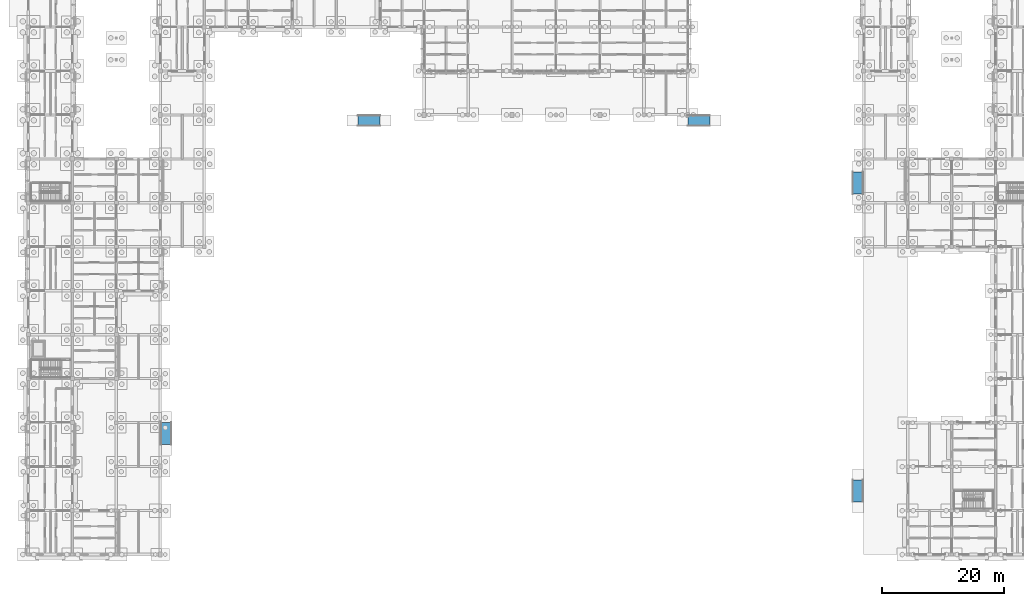
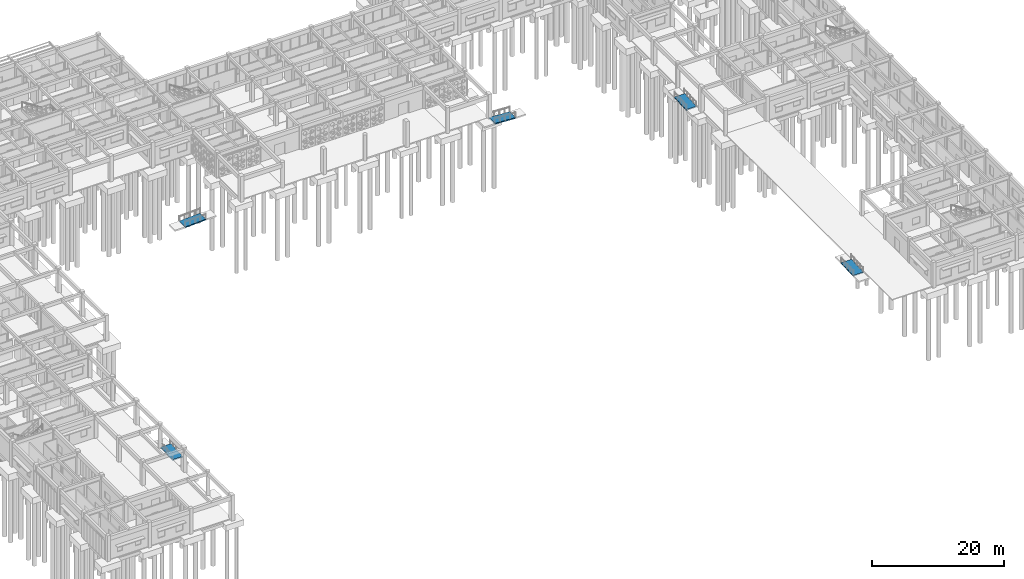
# One storey, part 86 of 111: 5 ramp flights, 5 elements without a shape of their own.
"""IFC4 building model written with IfcOpenShell, lengths in metres."""

from ifc_helpers import new_model, si_unit, direction, frame, origin, place, context, subcontext, project, spatial, polyline, outline, extrude, material, layer, layer_set, type_object, element, aggregate, save


model = new_model("IFC4")

# Units and contexts
model_context = context("Model", 3, precision=1e-05, world=origin(), true_north=direction((0.0, 1.0)))
body_context = subcontext(model_context, "Body", "Model", "MODEL_VIEW")
ifc_project = project(units=[si_unit("LENGTHUNIT", "METRE"), si_unit("AREAUNIT", "SQUARE_METRE"), si_unit("VOLUMEUNIT", "CUBIC_METRE"), si_unit("PLANEANGLEUNIT", "RADIAN"), si_unit("MASSUNIT", "GRAM", prefix="KILO")], contexts=[model_context])

# Site, building, storey
site_placement = place(None, origin())
site = spatial("IfcSite", under=ifc_project, at=site_placement, CompositionType="ELEMENT")
building_placement = place(site_placement, origin())
building = spatial("IfcBuilding", under=site, at=building_placement, Name="Aldebral Square Health Centre", CompositionType="ELEMENT")
storey_placement = place(building_placement, origin())
storey = spatial("IfcBuildingStorey", under=building, at=storey_placement, Name="L00", CompositionType="ELEMENT", Elevation=0.0)

# Ramp, ramp flight
ifc_material = material(Name="Concrete C35/45", Category="concrete")
ramp_type = type_object("IfcRampType", Name="RMP-ACC-1", PredefinedType="STRAIGHT_RUN_RAMP", material=ifc_material)
ramp_1_placement = place(storey_placement, origin())
ramp_1 = element("IfcRamp", 1, at=ramp_1_placement, inside=storey, type_object=ramp_type, Name="Main Square West Entry Ramp", PredefinedType="STRAIGHT_RUN_RAMP")
ifc_layer = layer(ifc_material, 0.199951171875, Name="Concrete C35/45", Category="concrete")
ifc_layer_set = layer_set([ifc_layer], Name="Concrete C35/45")
ramp_flight_type = type_object("IfcRampFlightType", Name="RMP-FLT-1", PredefinedType="STRAIGHT", material=ifc_layer_set)
ramp_flight_1_placement = place(storey_placement, frame((54.0, 71.050048828125, -0.179931640625), z_axis=(0.0, 0.0, 1.0), x_axis=(1.0, 0.0, 0.0)))
ramp_flight_1 = element("IfcRampFlight", 2, at=ramp_flight_1_placement, type_object=ramp_flight_type, Name="Main Square West Entry Ramp flight", PredefinedType="STRAIGHT", context=body_context, shape_type="SweptSolid", body=[
    extrude(outline(polyline([(0.0, 0.0), (0.0, -0.199951171875), (3.60009765625, -0.02001953125), (3.60009765625, 0.179931640625), (0.0, 0.0)])), frame((0.0, 0.89990234375, 0.0), z_axis=(0.0, -1.0, 0.0), x_axis=(1.0, 0.0, 0.0)), (0.0, 0.0, 1.0), 1.800048828125),
])
aggregate(ramp_1, [ramp_flight_1])

ramp_2_placement = place(storey_placement, origin())
ramp_2 = element("IfcRamp", 3, at=ramp_2_placement, inside=storey, type_object=ramp_type, Name="Main Square East Entry Ramp", PredefinedType="STRAIGHT_RUN_RAMP")
ramp_flight_2_placement = place(storey_placement, frame((111.60009765625, 71.050048828125, -0.179931640625), z_axis=(0.0, 0.0, 1.0), x_axis=(-1.0, 0.0, 0.0)))
ramp_flight_2 = element("IfcRampFlight", 4, at=ramp_flight_2_placement, type_object=ramp_flight_type, Name="Main Square East Entry Ramp flight", PredefinedType="STRAIGHT", context=body_context, shape_type="SweptSolid", body=[
    extrude(outline(polyline([(0.0, 0.0), (0.0, -0.199951171875), (3.60009765625, -0.02001953125), (3.60009765625, 0.179931640625), (0.0, 0.0)])), frame((0.0, 0.89990234375, 0.0), z_axis=(0.0, -1.0, 0.0), x_axis=(1.0, 0.0, 0.0)), (0.0, 0.0, 1.0), 1.800048828125),
])
aggregate(ramp_2, [ramp_flight_2])

ramp_3_placement = place(storey_placement, origin())
ramp_3 = element("IfcRamp", 5, at=ramp_3_placement, inside=storey, type_object=ramp_type, Name="Community Wing Colonnade Ramp", PredefinedType="STRAIGHT_RUN_RAMP")
ramp_flight_3_placement = place(storey_placement, frame((22.550048828125, 18.0, -0.179931640625), z_axis=(0.0, 0.0, 1.0), x_axis=(0.0, 1.0, 0.0)))
ramp_flight_3 = element("IfcRampFlight", 6, at=ramp_flight_3_placement, type_object=ramp_flight_type, Name="Community Wing Colonnade Ramp flight", PredefinedType="STRAIGHT", context=body_context, shape_type="SweptSolid", body=[
    extrude(outline(polyline([(0.0, 0.0), (0.0, -0.199951171875), (3.60009765625, -0.02001953125), (3.60009765625, 0.179931640625), (0.0, 0.0)])), frame((0.0, 0.89990234375, 0.0), z_axis=(0.0, -1.0, 0.0), x_axis=(1.0, 0.0, 0.0)), (0.0, 0.0, 1.0), 1.800048828125),
])
aggregate(ramp_3, [ramp_flight_3])

ramp_4_placement = place(storey_placement, origin())
ramp_4 = element("IfcRamp", 7, at=ramp_4_placement, inside=storey, type_object=ramp_type, Name="Therapy Pavilion Square Ramp", PredefinedType="STRAIGHT_RUN_RAMP")
ramp_flight_4_placement = place(storey_placement, frame((135.85009765625, 8.639892578125, -0.179931640625), z_axis=(0.0, 0.0, 1.0), x_axis=(0.0, 1.0, 0.0)))
ramp_flight_4 = element("IfcRampFlight", 8, at=ramp_flight_4_placement, type_object=ramp_flight_type, Name="Therapy Pavilion Square Ramp flight", PredefinedType="STRAIGHT", context=body_context, shape_type="SweptSolid", body=[
    extrude(outline(polyline([(0.0, 0.0), (0.0, -0.199951171875), (3.60009765625, -0.02001953125), (3.60009765625, 0.179931640625), (0.0, 0.0)])), frame((0.0, 0.89990234375, 0.0), z_axis=(0.0, -1.0, 0.0), x_axis=(1.0, 0.0, 0.0)), (0.0, 0.0, 1.0), 1.800048828125),
])
aggregate(ramp_4, [ramp_flight_4])

ramp_5_placement = place(storey_placement, origin())
ramp_5 = element("IfcRamp", 9, at=ramp_5_placement, inside=storey, type_object=ramp_type, Name="East Clinic Colonnade Ramp", PredefinedType="STRAIGHT_RUN_RAMP")
ramp_flight_5_placement = place(storey_placement, frame((135.85009765625, 59.0400390625, -0.179931640625), z_axis=(0.0, 0.0, 1.0), x_axis=(0.0, 1.0, 0.0)))
ramp_flight_5 = element("IfcRampFlight", 10, at=ramp_flight_5_placement, type_object=ramp_flight_type, Name="East Clinic Colonnade Ramp flight", PredefinedType="STRAIGHT", context=body_context, shape_type="SweptSolid", body=[
    extrude(outline(polyline([(0.0, 0.0), (0.0, -0.199951171875), (3.60009765625, -0.02001953125), (3.60009765625, 0.179931640625), (0.0, 0.0)])), frame((0.0, 0.89990234375, 0.0), z_axis=(0.0, -1.0, 0.0), x_axis=(1.0, 0.0, 0.0)), (0.0, 0.0, 1.0), 1.800048828125),
])
aggregate(ramp_5, [ramp_flight_5])

save(model, "model.ifc")
